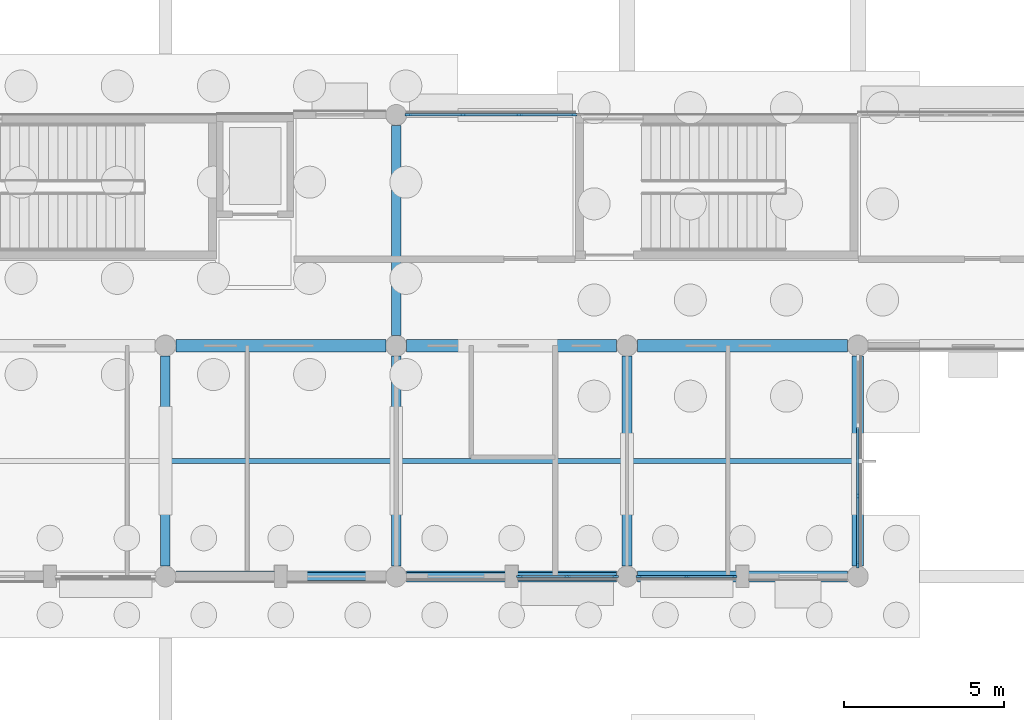
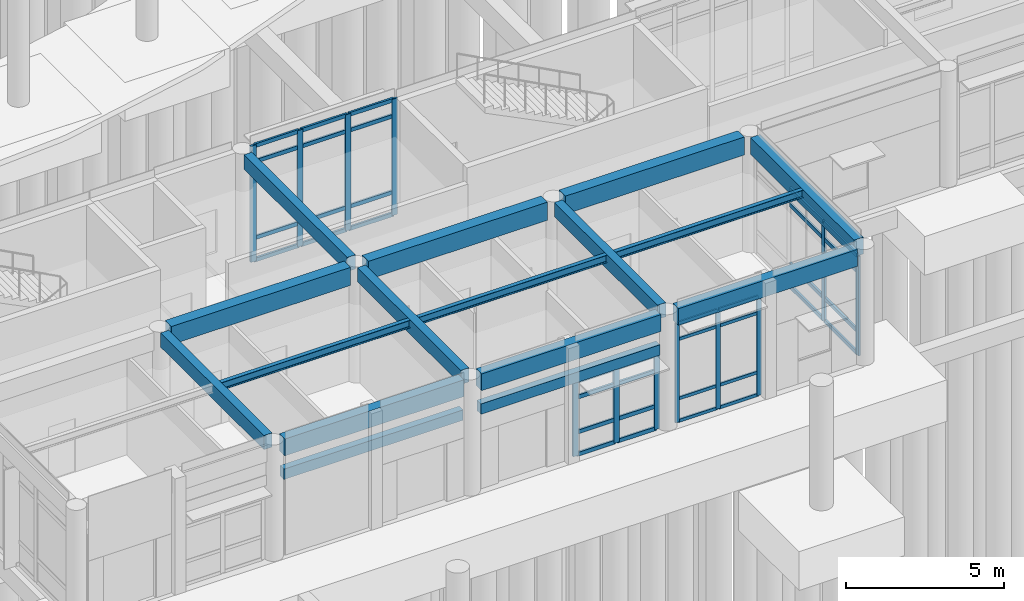
# One storey, part 21 of 103: 48 members, 16 beams, 4 elements without a shape of their own.
"""IFC4 building model written with IfcOpenShell, lengths in metres."""

import ifcopenshell
import ifcopenshell.guid

model = None  # the IFC model being written
_history = None  # IfcOwnerHistory: only IFC2X3 demands one
_inside = {}  # id of a spatial element -> (the spatial element, [elements in it])
_under = {}  # id of a project, library or spatial element -> (it, [spatial elements below it])
_declared = {}  # id of a project -> (the project, [libraries it declares])
_typed = {}  # id of a type object -> (the type object, [elements of that type])
_made_of = {}  # id of a material, layer set ... -> (it, [elements and type objects made of it])


def new_model(schema):
    """Start an empty IFC model of exactly this schema.

    Asked for "IFC4X3", IfcOpenShell would pick the latest addendum, in which some entities
    have other attributes; the version numbers below select the first issue.
    IFC2X3 requires an IfcOwnerHistory on every rooted entity: one is made here for all.
    """
    global model, _history
    if schema == "IFC4X3":
        model = ifcopenshell.file(schema_version=(4, 3, 0, 0))
    else:
        model = ifcopenshell.file(schema=schema)
    _inside.clear()
    _under.clear()
    _declared.clear()
    _typed.clear()
    _made_of.clear()
    _history = None
    if model.schema == "IFC2X3":
        org = make("IfcOrganization", Name="unknown")
        user = make(
            "IfcPersonAndOrganization",
            ThePerson=make("IfcPerson", FamilyName="unknown"),
            TheOrganization=org,
        )
        app = make(
            "IfcApplication",
            ApplicationDeveloper=org,
            Version="unknown",
            ApplicationFullName="unknown",
            ApplicationIdentifier="unknown",
        )
        _history = make(
            "IfcOwnerHistory",
            OwningUser=user,
            OwningApplication=app,
            ChangeAction="ADDED",
            CreationDate=0,
        )
    return model


def make(cls, **values):
    """One entity of the class cls with the attributes given. An attribute that is None is left unset."""
    return model.create_entity(
        cls, **{name: value for name, value in values.items() if value is not None}
    )


def rooted(cls, **values):
    """An entity with a GlobalId (a new one), such as an element, a storey or a relation."""
    return make(cls, GlobalId=ifcopenshell.guid.new(), OwnerHistory=_history, **values)


def si_unit(unit_type, name, prefix=None):
    """IfcSIUnit, for example si_unit("LENGTHUNIT", "METRE", prefix="MILLI")."""
    return make("IfcSIUnit", UnitType=unit_type, Prefix=prefix, Name=name)


def assignment(units):
    """IfcUnitAssignment: the units of a project."""
    return None if units is None else make("IfcUnitAssignment", Units=units)


def point(xyz):
    """IfcCartesianPoint."""
    return None if xyz is None else make("IfcCartesianPoint", Coordinates=xyz)


def direction(xyz):
    """IfcDirection."""
    return None if xyz is None else make("IfcDirection", DirectionRatios=xyz)


def frame(location, z_axis=None, x_axis=None):
    """IfcAxis2Placement3D, a coordinate frame: its origin and axes. An axis left out is left unset."""
    return make(
        "IfcAxis2Placement3D",
        Location=point(location),
        Axis=direction(z_axis),
        RefDirection=direction(x_axis),
    )


def frame_2d(location, x_axis=None):
    """IfcAxis2Placement2D, a coordinate frame in the plane: its origin and x axis."""
    return make(
        "IfcAxis2Placement2D", Location=point(location), RefDirection=direction(x_axis)
    )


def origin():
    """The frame at (0, 0, 0) with its axes left unset."""
    return frame((0.0, 0.0, 0.0))


def origin_2d():
    """The frame at (0, 0) in the plane with its x axis left unset."""
    return frame_2d((0.0, 0.0))


def place(relative_to, where):
    """IfcLocalPlacement: puts the frame where relative to a parent placement (None: the world)."""
    return make(
        "IfcLocalPlacement", PlacementRelTo=relative_to, RelativePlacement=where
    )


def context(
    kind, dimensions, precision=None, world=None, true_north=None, identifier=None
):
    """IfcGeometricRepresentationContext, for example the 3D "Model" context."""
    return make(
        "IfcGeometricRepresentationContext",
        ContextIdentifier=identifier,
        ContextType=kind,
        CoordinateSpaceDimension=dimensions,
        Precision=precision,
        WorldCoordinateSystem=world,
        TrueNorth=true_north,
    )


def subcontext(parent, identifier, kind, view, scale=None):
    """IfcGeometricRepresentationSubContext, for example "Body" below "Model"."""
    return make(
        "IfcGeometricRepresentationSubContext",
        ContextIdentifier=identifier,
        ContextType=kind,
        ParentContext=parent,
        TargetScale=scale,
        TargetView=view,
    )


def project(units=None, contexts=None):
    """IfcProject with its units and contexts."""
    return rooted(
        "IfcProject",
        Name="project",
        RepresentationContexts=contexts,
        UnitsInContext=assignment(units),
    )


def spatial(cls, under=None, at=None, **own):
    """A site, building, storey or space (cls), placed at a placement, below another one or the project."""
    s = rooted(cls, ObjectPlacement=at, **own)
    if under is not None:
        _under.setdefault(under.id(), (under, []))[1].append(s)
    return s


def profile(cls, at=None, kind="AREA", **sizes):
    """A parametric profile (cls). Its sizes go by their IFC names, for example OverallWidth=200.0."""
    return make(cls, ProfileType=kind, Position=at, **sizes)


def rectangle(**sizes):
    """IfcRectangleProfileDef."""
    return profile("IfcRectangleProfileDef", **sizes)


def i_section(**sizes):
    """IfcIShapeProfileDef."""
    return profile("IfcIShapeProfileDef", **sizes)


def extrude(swept, where, along, depth):
    """IfcExtrudedAreaSolid: the profile swept, set in the frame where, extruded along a direction by depth."""
    return make(
        "IfcExtrudedAreaSolid",
        SweptArea=swept,
        Position=where,
        ExtrudedDirection=direction(along),
        Depth=depth,
    )


def shape(context_of_items, identifier, shape_type, items):
    """IfcShapeRepresentation: the items that make up one representation, for example the "Body"."""
    return make(
        "IfcShapeRepresentation",
        ContextOfItems=context_of_items,
        RepresentationIdentifier=identifier,
        RepresentationType=shape_type,
        Items=items,
    )


def material(Name=None, Category=None):
    """IfcMaterial."""
    return make("IfcMaterial", Name=Name, Category=Category)


def layer(
    of_material, thickness, ventilated=None, Name=None, Category=None, Priority=None
):
    """IfcMaterialLayer: one layer of a wall or slab, of a material (None: an air gap)."""
    return make(
        "IfcMaterialLayer",
        Material=of_material,
        LayerThickness=thickness,
        IsVentilated=ventilated,
        Name=Name,
        Category=Category,
        Priority=Priority,
    )


def layer_set(layers, Name=None):
    """IfcMaterialLayerSet."""
    return make("IfcMaterialLayerSet", MaterialLayers=layers, LayerSetName=Name)


def material_profile(
    of_material, cross_section, Name=None, Category=None, Priority=None
):
    """IfcMaterialProfile: a cross section and its material."""
    return make(
        "IfcMaterialProfile",
        Name=Name,
        Material=of_material,
        Profile=cross_section,
        Priority=Priority,
        Category=Category,
    )


def profile_set(profiles, Name=None, composite=None):
    """IfcMaterialProfileSet."""
    return make(
        "IfcMaterialProfileSet",
        Name=Name,
        MaterialProfiles=profiles,
        CompositeProfile=composite,
    )


def made_of(thing, what):
    """Note that an element or type object is made of a material, layer set ...; save() writes the relation."""
    if what is not None:
        _made_of.setdefault(what.id(), (what, []))[1].append(thing)
    return thing


def type_object(cls, material=None, **own):
    """A type object (cls), such as IfcWallType, which elements share."""
    return made_of(rooted(cls, **own), material)


def element(
    cls,
    number,
    at=None,
    inside=None,
    cuts=None,
    type_object=None,
    material=None,
    context=None,
    identifier="Body",
    shape_type=None,
    held_by="IfcProductDefinitionShape",
    body=None,
    shapes=None,
    **own,
):
    """One element of the class cls, such as IfcWall. Its Tag is "e" and its number.

    at: its placement. inside: the storey or other place that contains it. cuts: it is an
    opening in that element (IfcRelVoidsElement). A single representation is given by context,
    identifier, shape_type and body (its items); several are given by shapes. held_by: the class
    of the entity that holds the representations. save() writes the other relations.
    """
    e = rooted(cls, Tag="e%d" % number, ObjectPlacement=at, **own)
    if body is not None:
        shapes = [shape(context, identifier, shape_type, body)]
    if shapes is not None:
        e.Representation = make(held_by, Representations=shapes)
    if inside is not None:
        _inside.setdefault(inside.id(), (inside, []))[1].append(e)
    if cuts is not None:
        rooted(
            "IfcRelVoidsElement", RelatingBuildingElement=cuts, RelatedOpeningElement=e
        )
    if type_object is not None:
        _typed.setdefault(type_object.id(), (type_object, []))[1].append(e)
    return made_of(e, material)


def aggregate(whole, parts):
    """IfcRelAggregates: a whole, such as a stair, and the parts it consists of."""
    return rooted("IfcRelAggregates", RelatingObject=whole, RelatedObjects=parts)


def save(model, path):
    """Write the relations noted so far, then the file.

    IfcRelAggregates (storeys below a building ...), IfcRelContainedInSpatialStructure (elements
    in a storey), IfcRelDefinesByType, IfcRelAssociatesMaterial and IfcRelDeclares: one each for
    every whole, place, type object, material and project.
    """
    for whole, parts in _under.values():
        aggregate(whole, parts)
    for where, things in _inside.values():
        rooted(
            "IfcRelContainedInSpatialStructure",
            RelatedElements=things,
            RelatingStructure=where,
        )
    for kind, things in _typed.values():
        rooted("IfcRelDefinesByType", RelatedObjects=things, RelatingType=kind)
    for what, things in _made_of.values():
        rooted("IfcRelAssociatesMaterial", RelatedObjects=things, RelatingMaterial=what)
    for by, libraries in _declared.values():
        rooted("IfcRelDeclares", RelatingContext=by, RelatedDefinitions=libraries)
    model.write(path)


model = new_model("IFC4")

# Units and contexts
model_context = context("Model", 3, precision=1e-05, world=origin(), true_north=direction((0.0, 1.0)))
body_context = subcontext(model_context, "Body", "Model", "MODEL_VIEW")
ifc_project = project(units=[si_unit("LENGTHUNIT", "METRE"), si_unit("AREAUNIT", "SQUARE_METRE"), si_unit("VOLUMEUNIT", "CUBIC_METRE"), si_unit("PLANEANGLEUNIT", "RADIAN"), si_unit("MASSUNIT", "GRAM", prefix="KILO")], contexts=[model_context])

# Site, building, storey
site_placement = place(None, origin())
site = spatial("IfcSite", under=ifc_project, at=site_placement, CompositionType="ELEMENT")
building_placement = place(site_placement, origin())
building = spatial("IfcBuilding", under=site, at=building_placement, Name="Namkhue Oval Health Centre", CompositionType="ELEMENT")
storey_placement = place(building_placement, origin())
storey = spatial("IfcBuildingStorey", under=building, at=storey_placement, Name="L00", CompositionType="ELEMENT", Elevation=0.0)

# Curtain wall, members
ifc_material_1 = material(Name="Anodised aluminium EN AW-6063 T6", Category="aluminium")
ifc_layer_1 = layer(ifc_material_1, 0.159912109375)
ifc_layer_set_1 = layer_set([ifc_layer_1], Name="Anodised aluminium EN AW-6063 T6")
curtain_wall_type_1 = type_object("IfcCurtainWallType", Name="UNITISED CURTAIN WALL M1800", PredefinedType="NOTDEFINED", material=ifc_layer_set_1)
curtain_wall_1_placement = place(storey_placement, origin())
curtain_wall_1 = element("IfcCurtainWall", 1, at=curtain_wall_1_placement, inside=storey, type_object=curtain_wall_type_1, Name="Volume V5 L00 Unitised Curtain Wall 179", PredefinedType="NOTDEFINED")
ifc_material_profile_1 = material_profile(ifc_material_1, rectangle(XDim=0.06494140625, YDim=0.159912109375, at=origin_2d()), Name="ALU 65x160")
ifc_profile_set_1 = profile_set([ifc_material_profile_1], Name="Anodised aluminium EN AW-6063 T6")
member_type_1 = type_object("IfcMemberType", Name="CURTAIN WALL MULLION 65X160", PredefinedType="MULLION", material=ifc_profile_set_1)
member_1_placement = place(storey_placement, frame((115.5673828125, 14.39990234375, 0.0), z_axis=(0.0, 0.0, 1.0), x_axis=(0.0, 1.0, 0.0)))
member_1 = element("IfcMember", 2, at=member_1_placement, type_object=member_type_1, Name="CW-05 mullion 1", PredefinedType="MULLION", context=body_context, shape_type="SweptSolid", body=[
    extrude(rectangle(XDim=0.06494140625, YDim=0.159912109375, at=origin_2d()), origin(), (0.0, 0.0, 1.0), 3.844970703125),
])
member_2_placement = place(storey_placement, frame((117.06201171875, 14.39990234375, 0.0), z_axis=(0.0, 0.0, 1.0), x_axis=(0.0, 1.0, 0.0)))
member_2 = element("IfcMember", 3, at=member_2_placement, type_object=member_type_1, Name="CW-05 mullion 2", PredefinedType="MULLION", context=body_context, shape_type="SweptSolid", body=[
    extrude(rectangle(XDim=0.06494140625, YDim=0.159912109375, at=origin_2d()), origin(), (0.0, 0.0, 1.0), 3.844970703125),
])
member_3_placement = place(storey_placement, frame((118.556396484375, 14.39990234375, 0.0), z_axis=(0.0, 0.0, 1.0), x_axis=(0.0, 1.0, 0.0)))
member_3 = element("IfcMember", 4, at=member_3_placement, type_object=member_type_1, Name="CW-05 mullion 3", PredefinedType="MULLION", context=body_context, shape_type="SweptSolid", body=[
    extrude(rectangle(XDim=0.06494140625, YDim=0.159912109375, at=origin_2d()), origin(), (0.0, 0.0, 1.0), 3.844970703125),
])

ifc_layer_2 = layer(ifc_material_1, 0.159912109375)
ifc_layer_set_2 = layer_set([ifc_layer_2], Name="Anodised aluminium EN AW-6063 T6")
curtain_wall_type_2 = type_object("IfcCurtainWallType", Name="UNITISED CURTAIN WALL M1600", PredefinedType="NOTDEFINED", material=ifc_layer_set_2)
curtain_wall_2_placement = place(storey_placement, origin())
curtain_wall_2 = element("IfcCurtainWall", 5, at=curtain_wall_2_placement, inside=storey, type_object=curtain_wall_type_2, Name="Volume V5 L00 Unitised Curtain Wall 178", PredefinedType="NOTDEFINED")
ifc_material_profile_2 = material_profile(ifc_material_1, rectangle(XDim=0.074951171875, YDim=0.199951171875, at=origin_2d()), Name="ALU 75x200")
ifc_profile_set_2 = profile_set([ifc_material_profile_2], Name="Anodised aluminium EN AW-6063 T6")
member_type_2 = type_object("IfcMemberType", Name="CURTAIN WALL MULLION 75X200", PredefinedType="MULLION", material=ifc_profile_set_2)
member_4_placement = place(storey_placement, frame((111.848388671875, 14.39990234375, 0.0), z_axis=(0.0, 0.0, 1.0), x_axis=(0.0, 1.0, 0.0)))
member_4 = element("IfcMember", 6, at=member_4_placement, type_object=member_type_2, Name="CW-04 mullion 1", PredefinedType="MULLION", context=body_context, shape_type="SweptSolid", body=[
    extrude(rectangle(XDim=0.074951171875, YDim=0.199951171875, at=origin_2d()), origin(), (0.0, 0.0, 1.0), 2.89990234375),
])
member_5_placement = place(storey_placement, frame((113.337890625, 14.39990234375, 0.0), z_axis=(0.0, 0.0, 1.0), x_axis=(0.0, 1.0, 0.0)))
member_5 = element("IfcMember", 7, at=member_5_placement, type_object=member_type_2, Name="CW-04 mullion 2", PredefinedType="MULLION", context=body_context, shape_type="SweptSolid", body=[
    extrude(rectangle(XDim=0.074951171875, YDim=0.199951171875, at=origin_2d()), origin(), (0.0, 0.0, 1.0), 2.89990234375),
])
member_6_placement = place(storey_placement, frame((114.827392578125, 14.39990234375, 0.0), z_axis=(0.0, 0.0, 1.0), x_axis=(0.0, 1.0, 0.0)))
member_6 = element("IfcMember", 8, at=member_6_placement, type_object=member_type_2, Name="CW-04 mullion 3", PredefinedType="MULLION", context=body_context, shape_type="SweptSolid", body=[
    extrude(rectangle(XDim=0.074951171875, YDim=0.199951171875, at=origin_2d()), origin(), (0.0, 0.0, 1.0), 2.89990234375),
])

ifc_layer_3 = layer(ifc_material_1, 0.159912109375)
ifc_layer_set_3 = layer_set([ifc_layer_3], Name="Anodised aluminium EN AW-6063 T6")
curtain_wall_type_3 = type_object("IfcCurtainWallType", Name="UNITISED CURTAIN WALL M2000", PredefinedType="NOTDEFINED", material=ifc_layer_set_3)
curtain_wall_3_placement = place(storey_placement, origin())
curtain_wall_3 = element("IfcCurtainWall", 9, at=curtain_wall_3_placement, inside=storey, type_object=curtain_wall_type_3, Name="Volume V5 L00 Unitised Curtain Wall 180", PredefinedType="NOTDEFINED")
member_7_placement = place(storey_placement, frame((122.39990234375, 14.7724609375, 0.0), z_axis=(0.0, 0.0, 1.0), x_axis=(-1.0, 0.0, 0.0)))
member_7 = element("IfcMember", 10, at=member_7_placement, type_object=member_type_2, Name="CW-06 mullion 1", PredefinedType="MULLION", context=body_context, shape_type="SweptSolid", body=[
    extrude(rectangle(XDim=0.074951171875, YDim=0.199951171875, at=origin_2d()), origin(), (0.0, 0.0, 1.0), 3.844970703125),
])
member_8_placement = place(storey_placement, frame((122.39990234375, 16.91162109375, 0.0), z_axis=(0.0, 0.0, 1.0), x_axis=(-1.0, 0.0, 0.0)))
member_8 = element("IfcMember", 11, at=member_8_placement, type_object=member_type_2, Name="CW-06 mullion 2", PredefinedType="MULLION", context=body_context, shape_type="SweptSolid", body=[
    extrude(rectangle(XDim=0.074951171875, YDim=0.199951171875, at=origin_2d()), origin(), (0.0, 0.0, 1.0), 3.844970703125),
])

curtain_wall_4_placement = place(storey_placement, origin())
curtain_wall_4 = element("IfcCurtainWall", 12, at=curtain_wall_4_placement, inside=storey, type_object=curtain_wall_type_2, Name="Volume V5 L00 Unitised Curtain Wall 184", PredefinedType="NOTDEFINED")
member_9_placement = place(storey_placement, frame((113.54541015625, 28.800048828125, 0.0), z_axis=(0.0, 0.0, 1.0), x_axis=(0.0, -1.0, 0.0)))
member_9 = element("IfcMember", 13, at=member_9_placement, type_object=member_type_2, Name="CW-04 mullion 1", PredefinedType="MULLION", context=body_context, shape_type="SweptSolid", body=[
    extrude(rectangle(XDim=0.074951171875, YDim=0.199951171875, at=origin_2d()), origin(), (0.0, 0.0, 1.0), 4.4951171875),
])
member_10_placement = place(storey_placement, frame((111.833740234375, 28.800048828125, 0.0), z_axis=(0.0, 0.0, 1.0), x_axis=(0.0, -1.0, 0.0)))
member_10 = element("IfcMember", 14, at=member_10_placement, type_object=member_type_2, Name="CW-04 mullion 2", PredefinedType="MULLION", context=body_context, shape_type="SweptSolid", body=[
    extrude(rectangle(XDim=0.074951171875, YDim=0.199951171875, at=origin_2d()), origin(), (0.0, 0.0, 1.0), 4.4951171875),
])
member_11_placement = place(storey_placement, frame((110.084228515625, 28.800048828125, 0.0), z_axis=(0.0, 0.0, 1.0), x_axis=(0.0, -1.0, 0.0)))
member_11 = element("IfcMember", 15, at=member_11_placement, type_object=member_type_2, Name="CW-04 mullion 3", PredefinedType="MULLION", context=body_context, shape_type="SweptSolid", body=[
    extrude(rectangle(XDim=0.074951171875, YDim=0.199951171875, at=origin_2d()), origin(), (0.0, 0.0, 1.0), 4.4951171875),
])
member_12_placement = place(storey_placement, frame((108.37255859375, 28.800048828125, 0.0), z_axis=(0.0, 0.0, 1.0), x_axis=(0.0, -1.0, 0.0)))
member_12 = element("IfcMember", 16, at=member_12_placement, type_object=member_type_2, Name="CW-04 mullion 4", PredefinedType="MULLION", context=body_context, shape_type="SweptSolid", body=[
    extrude(rectangle(XDim=0.074951171875, YDim=0.199951171875, at=origin_2d()), origin(), (0.0, 0.0, 1.0), 4.4951171875),
])

# Member
ifc_material_profile_3 = material_profile(ifc_material_1, rectangle(XDim=0.06494140625, YDim=0.1201171875, at=origin_2d()), Name="ALU 65x120")
ifc_profile_set_3 = profile_set([ifc_material_profile_3], Name="Anodised aluminium EN AW-6063 T6")
member_type_3 = type_object("IfcMemberType", Name="CURTAIN WALL TRANSOM 65X120", PredefinedType="USERDEFINED", material=ifc_profile_set_3)
member_13_placement = place(storey_placement, frame((115.60009765625, 14.39990234375, 0.032470703125), z_axis=(1.0, 0.0, 0.0), x_axis=(0.0, 1.0, 0.0)))
member_13 = element("IfcMember", 17, at=member_13_placement, type_object=member_type_3, Name="CW-05 transom 1.1", ObjectType="TRANSOM", PredefinedType="USERDEFINED", context=body_context, shape_type="SweptSolid", body=[
    extrude(rectangle(XDim=0.06494140625, YDim=0.1201171875, at=origin_2d()), origin(), (0.0, 0.0, 1.0), 1.429443359375),
])

member_14_placement = place(storey_placement, frame((115.60009765625, 14.39990234375, 0.89990234375), z_axis=(1.0, 0.0, 0.0), x_axis=(0.0, 1.0, 0.0)))
member_14 = element("IfcMember", 18, at=member_14_placement, type_object=member_type_3, Name="CW-05 transom 1.2", ObjectType="TRANSOM", PredefinedType="USERDEFINED", context=body_context, shape_type="SweptSolid", body=[
    extrude(rectangle(XDim=0.06494140625, YDim=0.1201171875, at=origin_2d()), origin(), (0.0, 0.0, 1.0), 1.429443359375),
])

member_15_placement = place(storey_placement, frame((115.60009765625, 14.39990234375, 3.195068359375), z_axis=(1.0, 0.0, 0.0), x_axis=(0.0, 1.0, 0.0)))
member_15 = element("IfcMember", 19, at=member_15_placement, type_object=member_type_3, Name="CW-05 transom 1.3", ObjectType="TRANSOM", PredefinedType="USERDEFINED", context=body_context, shape_type="SweptSolid", body=[
    extrude(rectangle(XDim=0.06494140625, YDim=0.1201171875, at=origin_2d()), origin(), (0.0, 0.0, 1.0), 1.429443359375),
])

member_16_placement = place(storey_placement, frame((115.60009765625, 14.39990234375, 3.8125), z_axis=(1.0, 0.0, 0.0), x_axis=(0.0, 1.0, 0.0)))
member_16 = element("IfcMember", 20, at=member_16_placement, type_object=member_type_3, Name="CW-05 transom 1.4", ObjectType="TRANSOM", PredefinedType="USERDEFINED", context=body_context, shape_type="SweptSolid", body=[
    extrude(rectangle(XDim=0.06494140625, YDim=0.1201171875, at=origin_2d()), origin(), (0.0, 0.0, 1.0), 1.429443359375),
])

member_17_placement = place(storey_placement, frame((117.094482421875, 14.39990234375, 0.032470703125), z_axis=(1.0, 0.0, 0.0), x_axis=(0.0, 1.0, 0.0)))
member_17 = element("IfcMember", 21, at=member_17_placement, type_object=member_type_3, Name="CW-05 transom 2.1", ObjectType="TRANSOM", PredefinedType="USERDEFINED", context=body_context, shape_type="SweptSolid", body=[
    extrude(rectangle(XDim=0.06494140625, YDim=0.1201171875, at=origin_2d()), origin(), (0.0, 0.0, 1.0), 1.429443359375),
])

member_18_placement = place(storey_placement, frame((117.094482421875, 14.39990234375, 0.89990234375), z_axis=(1.0, 0.0, 0.0), x_axis=(0.0, 1.0, 0.0)))
member_18 = element("IfcMember", 22, at=member_18_placement, type_object=member_type_3, Name="CW-05 transom 2.2", ObjectType="TRANSOM", PredefinedType="USERDEFINED", context=body_context, shape_type="SweptSolid", body=[
    extrude(rectangle(XDim=0.06494140625, YDim=0.1201171875, at=origin_2d()), origin(), (0.0, 0.0, 1.0), 1.429443359375),
])

member_19_placement = place(storey_placement, frame((117.094482421875, 14.39990234375, 3.195068359375), z_axis=(1.0, 0.0, 0.0), x_axis=(0.0, 1.0, 0.0)))
member_19 = element("IfcMember", 23, at=member_19_placement, type_object=member_type_3, Name="CW-05 transom 2.3", ObjectType="TRANSOM", PredefinedType="USERDEFINED", context=body_context, shape_type="SweptSolid", body=[
    extrude(rectangle(XDim=0.06494140625, YDim=0.1201171875, at=origin_2d()), origin(), (0.0, 0.0, 1.0), 1.429443359375),
])

member_20_placement = place(storey_placement, frame((117.094482421875, 14.39990234375, 3.8125), z_axis=(1.0, 0.0, 0.0), x_axis=(0.0, 1.0, 0.0)))
member_20 = element("IfcMember", 24, at=member_20_placement, type_object=member_type_3, Name="CW-05 transom 2.4", ObjectType="TRANSOM", PredefinedType="USERDEFINED", context=body_context, shape_type="SweptSolid", body=[
    extrude(rectangle(XDim=0.06494140625, YDim=0.1201171875, at=origin_2d()), origin(), (0.0, 0.0, 1.0), 1.429443359375),
])

aggregate(curtain_wall_1, [member_1, member_2, member_3, member_13, member_14, member_15, member_16, member_17, member_18, member_19, member_20])

ifc_material_profile_4 = material_profile(ifc_material_1, rectangle(XDim=0.074951171875, YDim=0.14990234375, at=origin_2d()), Name="ALU 75x150")
ifc_profile_set_4 = profile_set([ifc_material_profile_4], Name="Anodised aluminium EN AW-6063 T6")
member_type_4 = type_object("IfcMemberType", Name="CURTAIN WALL TRANSOM 75X150", PredefinedType="USERDEFINED", material=ifc_profile_set_4)
member_21_placement = place(storey_placement, frame((111.885986328125, 14.39990234375, 0.03759765625), z_axis=(1.0, 0.0, 0.0), x_axis=(0.0, 1.0, 0.0)))
member_21 = element("IfcMember", 25, at=member_21_placement, type_object=member_type_4, Name="CW-04 transom 1.1", ObjectType="TRANSOM", PredefinedType="USERDEFINED", context=body_context, shape_type="SweptSolid", body=[
    extrude(rectangle(XDim=0.074951171875, YDim=0.14990234375, at=origin_2d()), origin(), (0.0, 0.0, 1.0), 1.41455078125),
])

member_22_placement = place(storey_placement, frame((111.885986328125, 14.39990234375, 0.89990234375), z_axis=(1.0, 0.0, 0.0), x_axis=(0.0, 1.0, 0.0)))
member_22 = element("IfcMember", 26, at=member_22_placement, type_object=member_type_4, Name="CW-04 transom 1.2", ObjectType="TRANSOM", PredefinedType="USERDEFINED", context=body_context, shape_type="SweptSolid", body=[
    extrude(rectangle(XDim=0.074951171875, YDim=0.14990234375, at=origin_2d()), origin(), (0.0, 0.0, 1.0), 1.41455078125),
])

member_23_placement = place(storey_placement, frame((111.885986328125, 14.39990234375, 2.25), z_axis=(1.0, 0.0, 0.0), x_axis=(0.0, 1.0, 0.0)))
member_23 = element("IfcMember", 27, at=member_23_placement, type_object=member_type_4, Name="CW-04 transom 1.3", ObjectType="TRANSOM", PredefinedType="USERDEFINED", context=body_context, shape_type="SweptSolid", body=[
    extrude(rectangle(XDim=0.074951171875, YDim=0.14990234375, at=origin_2d()), origin(), (0.0, 0.0, 1.0), 1.41455078125),
])

member_24_placement = place(storey_placement, frame((111.885986328125, 14.39990234375, 2.862548828125), z_axis=(1.0, 0.0, 0.0), x_axis=(0.0, 1.0, 0.0)))
member_24 = element("IfcMember", 28, at=member_24_placement, type_object=member_type_4, Name="CW-04 transom 1.4", ObjectType="TRANSOM", PredefinedType="USERDEFINED", context=body_context, shape_type="SweptSolid", body=[
    extrude(rectangle(XDim=0.074951171875, YDim=0.14990234375, at=origin_2d()), origin(), (0.0, 0.0, 1.0), 1.41455078125),
])

member_25_placement = place(storey_placement, frame((113.37548828125, 14.39990234375, 0.03759765625), z_axis=(1.0, 0.0, 0.0), x_axis=(0.0, 1.0, 0.0)))
member_25 = element("IfcMember", 29, at=member_25_placement, type_object=member_type_4, Name="CW-04 transom 2.1", ObjectType="TRANSOM", PredefinedType="USERDEFINED", context=body_context, shape_type="SweptSolid", body=[
    extrude(rectangle(XDim=0.074951171875, YDim=0.14990234375, at=origin_2d()), origin(), (0.0, 0.0, 1.0), 1.41455078125),
])

member_26_placement = place(storey_placement, frame((113.37548828125, 14.39990234375, 0.89990234375), z_axis=(1.0, 0.0, 0.0), x_axis=(0.0, 1.0, 0.0)))
member_26 = element("IfcMember", 30, at=member_26_placement, type_object=member_type_4, Name="CW-04 transom 2.2", ObjectType="TRANSOM", PredefinedType="USERDEFINED", context=body_context, shape_type="SweptSolid", body=[
    extrude(rectangle(XDim=0.074951171875, YDim=0.14990234375, at=origin_2d()), origin(), (0.0, 0.0, 1.0), 1.41455078125),
])

member_27_placement = place(storey_placement, frame((113.37548828125, 14.39990234375, 2.25), z_axis=(1.0, 0.0, 0.0), x_axis=(0.0, 1.0, 0.0)))
member_27 = element("IfcMember", 31, at=member_27_placement, type_object=member_type_4, Name="CW-04 transom 2.3", ObjectType="TRANSOM", PredefinedType="USERDEFINED", context=body_context, shape_type="SweptSolid", body=[
    extrude(rectangle(XDim=0.074951171875, YDim=0.14990234375, at=origin_2d()), origin(), (0.0, 0.0, 1.0), 1.41455078125),
])

member_28_placement = place(storey_placement, frame((113.37548828125, 14.39990234375, 2.862548828125), z_axis=(1.0, 0.0, 0.0), x_axis=(0.0, 1.0, 0.0)))
member_28 = element("IfcMember", 32, at=member_28_placement, type_object=member_type_4, Name="CW-04 transom 2.4", ObjectType="TRANSOM", PredefinedType="USERDEFINED", context=body_context, shape_type="SweptSolid", body=[
    extrude(rectangle(XDim=0.074951171875, YDim=0.14990234375, at=origin_2d()), origin(), (0.0, 0.0, 1.0), 1.41455078125),
])

aggregate(curtain_wall_2, [member_4, member_5, member_6, member_21, member_22, member_23, member_24, member_25, member_26, member_27, member_28])

member_29_placement = place(storey_placement, frame((122.39990234375, 14.81005859375, 0.03759765625), z_axis=(0.0, 1.0, 0.0), x_axis=(-1.0, 0.0, 0.0)))
member_29 = element("IfcMember", 33, at=member_29_placement, type_object=member_type_4, Name="CW-06 transom 1.1", ObjectType="TRANSOM", PredefinedType="USERDEFINED", context=body_context, shape_type="SweptSolid", body=[
    extrude(rectangle(XDim=0.074951171875, YDim=0.14990234375, at=origin_2d()), origin(), (0.0, 0.0, 1.0), 2.064208984375),
])

member_30_placement = place(storey_placement, frame((122.39990234375, 14.81005859375, 0.89990234375), z_axis=(0.0, 1.0, 0.0), x_axis=(-1.0, 0.0, 0.0)))
member_30 = element("IfcMember", 34, at=member_30_placement, type_object=member_type_4, Name="CW-06 transom 1.2", ObjectType="TRANSOM", PredefinedType="USERDEFINED", context=body_context, shape_type="SweptSolid", body=[
    extrude(rectangle(XDim=0.074951171875, YDim=0.14990234375, at=origin_2d()), origin(), (0.0, 0.0, 1.0), 2.064208984375),
])

member_31_placement = place(storey_placement, frame((122.39990234375, 14.81005859375, 3.195068359375), z_axis=(0.0, 1.0, 0.0), x_axis=(-1.0, 0.0, 0.0)))
member_31 = element("IfcMember", 35, at=member_31_placement, type_object=member_type_4, Name="CW-06 transom 1.3", ObjectType="TRANSOM", PredefinedType="USERDEFINED", context=body_context, shape_type="SweptSolid", body=[
    extrude(rectangle(XDim=0.074951171875, YDim=0.14990234375, at=origin_2d()), origin(), (0.0, 0.0, 1.0), 2.064208984375),
])

member_32_placement = place(storey_placement, frame((122.39990234375, 14.81005859375, 3.8076171875), z_axis=(0.0, 1.0, 0.0), x_axis=(-1.0, 0.0, 0.0)))
member_32 = element("IfcMember", 36, at=member_32_placement, type_object=member_type_4, Name="CW-06 transom 1.4", ObjectType="TRANSOM", PredefinedType="USERDEFINED", context=body_context, shape_type="SweptSolid", body=[
    extrude(rectangle(XDim=0.074951171875, YDim=0.14990234375, at=origin_2d()), origin(), (0.0, 0.0, 1.0), 2.064208984375),
])

member_33_placement = place(storey_placement, frame((122.39990234375, 16.94921875, 0.03759765625), z_axis=(0.0, 1.0, 0.0), x_axis=(-1.0, 0.0, 0.0)))
member_33 = element("IfcMember", 37, at=member_33_placement, type_object=member_type_4, Name="CW-06 transom 2.1", ObjectType="TRANSOM", PredefinedType="USERDEFINED", context=body_context, shape_type="SweptSolid", body=[
    extrude(rectangle(XDim=0.074951171875, YDim=0.14990234375, at=origin_2d()), origin(), (0.0, 0.0, 1.0), 2.1015625),
])

member_34_placement = place(storey_placement, frame((122.39990234375, 16.94921875, 0.89990234375), z_axis=(0.0, 1.0, 0.0), x_axis=(-1.0, 0.0, 0.0)))
member_34 = element("IfcMember", 38, at=member_34_placement, type_object=member_type_4, Name="CW-06 transom 2.2", ObjectType="TRANSOM", PredefinedType="USERDEFINED", context=body_context, shape_type="SweptSolid", body=[
    extrude(rectangle(XDim=0.074951171875, YDim=0.14990234375, at=origin_2d()), origin(), (0.0, 0.0, 1.0), 2.1015625),
])

member_35_placement = place(storey_placement, frame((122.39990234375, 16.94921875, 3.195068359375), z_axis=(0.0, 1.0, 0.0), x_axis=(-1.0, 0.0, 0.0)))
member_35 = element("IfcMember", 39, at=member_35_placement, type_object=member_type_4, Name="CW-06 transom 2.3", ObjectType="TRANSOM", PredefinedType="USERDEFINED", context=body_context, shape_type="SweptSolid", body=[
    extrude(rectangle(XDim=0.074951171875, YDim=0.14990234375, at=origin_2d()), origin(), (0.0, 0.0, 1.0), 2.1015625),
])

member_36_placement = place(storey_placement, frame((122.39990234375, 16.94921875, 3.8076171875), z_axis=(0.0, 1.0, 0.0), x_axis=(-1.0, 0.0, 0.0)))
member_36 = element("IfcMember", 40, at=member_36_placement, type_object=member_type_4, Name="CW-06 transom 2.4", ObjectType="TRANSOM", PredefinedType="USERDEFINED", context=body_context, shape_type="SweptSolid", body=[
    extrude(rectangle(XDim=0.074951171875, YDim=0.14990234375, at=origin_2d()), origin(), (0.0, 0.0, 1.0), 2.1015625),
])

aggregate(curtain_wall_3, [member_7, member_8, member_29, member_30, member_31, member_32, member_33, member_34, member_35, member_36])

member_37_placement = place(storey_placement, frame((113.508056640625, 28.800048828125, 0.03759765625), z_axis=(-1.0, 0.0, 0.0), x_axis=(0.0, -1.0, 0.0)))
member_37 = element("IfcMember", 41, at=member_37_placement, type_object=member_type_4, Name="CW-04 transom 1.1", ObjectType="TRANSOM", PredefinedType="USERDEFINED", context=body_context, shape_type="SweptSolid", body=[
    extrude(rectangle(XDim=0.074951171875, YDim=0.14990234375, at=origin_2d()), origin(), (0.0, 0.0, 1.0), 1.636962890625),
])

member_38_placement = place(storey_placement, frame((113.508056640625, 28.800048828125, 0.89990234375), z_axis=(-1.0, 0.0, 0.0), x_axis=(0.0, -1.0, 0.0)))
member_38 = element("IfcMember", 42, at=member_38_placement, type_object=member_type_4, Name="CW-04 transom 1.2", ObjectType="TRANSOM", PredefinedType="USERDEFINED", context=body_context, shape_type="SweptSolid", body=[
    extrude(rectangle(XDim=0.074951171875, YDim=0.14990234375, at=origin_2d()), origin(), (0.0, 0.0, 1.0), 1.636962890625),
])

member_39_placement = place(storey_placement, frame((113.508056640625, 28.800048828125, 3.844970703125), z_axis=(-1.0, 0.0, 0.0), x_axis=(0.0, -1.0, 0.0)))
member_39 = element("IfcMember", 43, at=member_39_placement, type_object=member_type_4, Name="CW-04 transom 1.3", ObjectType="TRANSOM", PredefinedType="USERDEFINED", context=body_context, shape_type="SweptSolid", body=[
    extrude(rectangle(XDim=0.074951171875, YDim=0.14990234375, at=origin_2d()), origin(), (0.0, 0.0, 1.0), 1.636962890625),
])

member_40_placement = place(storey_placement, frame((113.508056640625, 28.800048828125, 4.45751953125), z_axis=(-1.0, 0.0, 0.0), x_axis=(0.0, -1.0, 0.0)))
member_40 = element("IfcMember", 44, at=member_40_placement, type_object=member_type_4, Name="CW-04 transom 1.4", ObjectType="TRANSOM", PredefinedType="USERDEFINED", context=body_context, shape_type="SweptSolid", body=[
    extrude(rectangle(XDim=0.074951171875, YDim=0.14990234375, at=origin_2d()), origin(), (0.0, 0.0, 1.0), 1.636962890625),
])

member_41_placement = place(storey_placement, frame((111.796142578125, 28.800048828125, 0.03759765625), z_axis=(-1.0, 0.0, 0.0), x_axis=(0.0, -1.0, 0.0)))
member_41 = element("IfcMember", 45, at=member_41_placement, type_object=member_type_4, Name="CW-04 transom 2.1", ObjectType="TRANSOM", PredefinedType="USERDEFINED", context=body_context, shape_type="SweptSolid", body=[
    extrude(rectangle(XDim=0.074951171875, YDim=0.14990234375, at=origin_2d()), origin(), (0.0, 0.0, 1.0), 1.67431640625),
])

member_42_placement = place(storey_placement, frame((111.796142578125, 28.800048828125, 0.89990234375), z_axis=(-1.0, 0.0, 0.0), x_axis=(0.0, -1.0, 0.0)))
member_42 = element("IfcMember", 46, at=member_42_placement, type_object=member_type_4, Name="CW-04 transom 2.2", ObjectType="TRANSOM", PredefinedType="USERDEFINED", context=body_context, shape_type="SweptSolid", body=[
    extrude(rectangle(XDim=0.074951171875, YDim=0.14990234375, at=origin_2d()), origin(), (0.0, 0.0, 1.0), 1.67431640625),
])

member_43_placement = place(storey_placement, frame((111.796142578125, 28.800048828125, 3.844970703125), z_axis=(-1.0, 0.0, 0.0), x_axis=(0.0, -1.0, 0.0)))
member_43 = element("IfcMember", 47, at=member_43_placement, type_object=member_type_4, Name="CW-04 transom 2.3", ObjectType="TRANSOM", PredefinedType="USERDEFINED", context=body_context, shape_type="SweptSolid", body=[
    extrude(rectangle(XDim=0.074951171875, YDim=0.14990234375, at=origin_2d()), origin(), (0.0, 0.0, 1.0), 1.67431640625),
])

member_44_placement = place(storey_placement, frame((111.796142578125, 28.800048828125, 4.45751953125), z_axis=(-1.0, 0.0, 0.0), x_axis=(0.0, -1.0, 0.0)))
member_44 = element("IfcMember", 48, at=member_44_placement, type_object=member_type_4, Name="CW-04 transom 2.4", ObjectType="TRANSOM", PredefinedType="USERDEFINED", context=body_context, shape_type="SweptSolid", body=[
    extrude(rectangle(XDim=0.074951171875, YDim=0.14990234375, at=origin_2d()), origin(), (0.0, 0.0, 1.0), 1.67431640625),
])

member_45_placement = place(storey_placement, frame((110.046875, 28.800048828125, 0.03759765625), z_axis=(-1.0, 0.0, 0.0), x_axis=(0.0, -1.0, 0.0)))
member_45 = element("IfcMember", 49, at=member_45_placement, type_object=member_type_4, Name="CW-04 transom 3.1", ObjectType="TRANSOM", PredefinedType="USERDEFINED", context=body_context, shape_type="SweptSolid", body=[
    extrude(rectangle(XDim=0.074951171875, YDim=0.14990234375, at=origin_2d()), origin(), (0.0, 0.0, 1.0), 1.636962890625),
])

member_46_placement = place(storey_placement, frame((110.046875, 28.800048828125, 0.89990234375), z_axis=(-1.0, 0.0, 0.0), x_axis=(0.0, -1.0, 0.0)))
member_46 = element("IfcMember", 50, at=member_46_placement, type_object=member_type_4, Name="CW-04 transom 3.2", ObjectType="TRANSOM", PredefinedType="USERDEFINED", context=body_context, shape_type="SweptSolid", body=[
    extrude(rectangle(XDim=0.074951171875, YDim=0.14990234375, at=origin_2d()), origin(), (0.0, 0.0, 1.0), 1.636962890625),
])

member_47_placement = place(storey_placement, frame((110.046875, 28.800048828125, 3.844970703125), z_axis=(-1.0, 0.0, 0.0), x_axis=(0.0, -1.0, 0.0)))
member_47 = element("IfcMember", 51, at=member_47_placement, type_object=member_type_4, Name="CW-04 transom 3.3", ObjectType="TRANSOM", PredefinedType="USERDEFINED", context=body_context, shape_type="SweptSolid", body=[
    extrude(rectangle(XDim=0.074951171875, YDim=0.14990234375, at=origin_2d()), origin(), (0.0, 0.0, 1.0), 1.636962890625),
])

member_48_placement = place(storey_placement, frame((110.046875, 28.800048828125, 4.45751953125), z_axis=(-1.0, 0.0, 0.0), x_axis=(0.0, -1.0, 0.0)))
member_48 = element("IfcMember", 52, at=member_48_placement, type_object=member_type_4, Name="CW-04 transom 3.4", ObjectType="TRANSOM", PredefinedType="USERDEFINED", context=body_context, shape_type="SweptSolid", body=[
    extrude(rectangle(XDim=0.074951171875, YDim=0.14990234375, at=origin_2d()), origin(), (0.0, 0.0, 1.0), 1.636962890625),
])

aggregate(curtain_wall_4, [member_9, member_10, member_11, member_12, member_37, member_38, member_39, member_40, member_41, member_42, member_43, member_44, member_45, member_46, member_47, member_48])

# Beams
ifc_material_2 = material(Name="Reinforced concrete C30/37 (TCVN B35)", Category="concrete")
ifc_material_profile_5 = material_profile(ifc_material_2, rectangle(XDim=0.300048828125, YDim=0.550048828125, at=origin_2d()), Name="RC 300x550")
ifc_profile_set_5 = profile_set([ifc_material_profile_5], Name="Reinforced concrete C30/37 (TCVN B35)")
beam_type_1 = type_object("IfcBeamType", Name="FLOOR BEAM RC 300X550", PredefinedType="BEAM", material=ifc_profile_set_5)
for number, where, z_axis, x_axis, name in (
    (53, (100.800048828125, 14.72509765625, 4.219970703125), (0.0, 1.0, 0.0), (-1.0, 0.0, 0.0), "Volume V5 L01 Beam 15/C-D"),
    (54, (108.0, 14.72509765625, 4.219970703125), (0.0, 1.0, 0.0), (-1.0, 0.0, 0.0), "Volume V5 L01 Beam 16/C-D"),
):
    element("IfcBeam", number, at=place(storey_placement, frame(where, z_axis=z_axis, x_axis=x_axis)), inside=storey, type_object=beam_type_1, Name=name, PredefinedType="BEAM", context=body_context, shape_type="SweptSolid", body=[
        extrude(rectangle(XDim=0.300048828125, YDim=0.550048828125, at=origin_2d()), origin(), (0.0, 0.0, 1.0), 6.5498046875),
    ])
beam_1_placement = place(storey_placement, frame((108.0, 21.925048828125, 4.219970703125), z_axis=(0.0, 1.0, 0.0), x_axis=(-1.0, 0.0, 0.0)))
element("IfcBeam", 55, at=beam_1_placement, inside=storey, type_object=beam_type_1, Name="Volume V5 L01 Beam 16/D-E", PredefinedType="BEAM", context=body_context, shape_type="SweptSolid", body=[
    extrude(rectangle(XDim=0.300048828125, YDim=0.550048828125, at=origin_2d()), origin(), (0.0, 0.0, 1.0), 6.550048828125),
])
beam_2_placement = place(storey_placement, frame((115.199951171875, 14.72509765625, 4.219970703125), z_axis=(0.0, 1.0, 0.0), x_axis=(-1.0, 0.0, 0.0)))
element("IfcBeam", 56, at=beam_2_placement, inside=storey, type_object=beam_type_1, Name="Volume V5 L01 Beam 17/C-D", PredefinedType="BEAM", context=body_context, shape_type="SweptSolid", body=[
    extrude(rectangle(XDim=0.300048828125, YDim=0.550048828125, at=origin_2d()), origin(), (0.0, 0.0, 1.0), 6.5498046875),
])
ifc_material_profile_6 = material_profile(ifc_material_2, rectangle(XDim=0.25, YDim=0.39990234375, at=origin_2d()), Name="RC 250x400")
ifc_profile_set_6 = profile_set([ifc_material_profile_6], Name="Reinforced concrete C30/37 (TCVN B35)")
beam_type_2 = type_object("IfcBeamType", Name="OPENING LINTEL BEAM 250X400", PredefinedType="LINTEL", material=ifc_profile_set_6)
for number, where, z_axis, x_axis, name in (
    (57, (101.125, 14.39990234375, 3.10009765625), (1.0, 0.0, 0.0), (0.0, 1.0, 0.0), "Volume V5 L00 Portal Lintel Beam 11"),
    (58, (108.324951171875, 14.39990234375, 3.10009765625), (1.0, 0.0, 0.0), (0.0, 1.0, 0.0), "Volume V5 L00 Portal Lintel Beam 12"),
):
    element("IfcBeam", number, at=place(storey_placement, frame(where, z_axis=z_axis, x_axis=x_axis)), inside=storey, type_object=beam_type_2, Name=name, PredefinedType="LINTEL", context=body_context, shape_type="SweptSolid", body=[
        extrude(rectangle(XDim=0.25, YDim=0.39990234375, at=origin_2d()), origin(), (0.0, 0.0, 1.0), 6.550048828125),
    ])
ifc_material_3 = material(Name="Reinforced concrete C35/45 (TCVN B40)", Category="concrete")
ifc_material_profile_7 = material_profile(ifc_material_3, rectangle(XDim=0.35009765625, YDim=0.64990234375, at=origin_2d()), Name="RC 350x650")
ifc_profile_set_7 = profile_set([ifc_material_profile_7], Name="Reinforced concrete C35/45 (TCVN B40)")
beam_type_3 = type_object("IfcBeamType", Name="PERIMETER SPANDREL BEAM 350X650", PredefinedType="SPANDREL", material=ifc_profile_set_7)
for number, where, z_axis, x_axis, name in (
    (59, (101.125, 14.39990234375, 4.169921875), (1.0, 0.0, 0.0), (0.0, 1.0, 0.0), "Volume V5 L01 Girder C/15-16"),
    (60, (108.324951171875, 14.39990234375, 4.169921875), (1.0, 0.0, 0.0), (0.0, 1.0, 0.0), "Volume V5 L01 Girder C/16-17"),
    (61, (115.52490234375, 14.39990234375, 4.169921875), (1.0, 0.0, 0.0), (0.0, 1.0, 0.0), "Volume V5 L01 Girder C/17-18"),
):
    element("IfcBeam", number, at=place(storey_placement, frame(where, z_axis=z_axis, x_axis=x_axis)), inside=storey, type_object=beam_type_3, Name=name, PredefinedType="SPANDREL", context=body_context, shape_type="SweptSolid", body=[
        extrude(rectangle(XDim=0.35009765625, YDim=0.64990234375, at=origin_2d()), origin(), (0.0, 0.0, 1.0), 6.550048828125),
    ])
beam_3_placement = place(storey_placement, frame((122.39990234375, 14.72509765625, 4.169921875), z_axis=(0.0, 1.0, 0.0), x_axis=(-1.0, 0.0, 0.0)))
element("IfcBeam", 62, at=beam_3_placement, inside=storey, type_object=beam_type_3, Name="Volume V5 L01 Beam 18/C-D", PredefinedType="SPANDREL", context=body_context, shape_type="SweptSolid", body=[
    extrude(rectangle(XDim=0.35009765625, YDim=0.64990234375, at=origin_2d()), origin(), (0.0, 0.0, 1.0), 6.5498046875),
])
ifc_material_profile_8 = material_profile(ifc_material_3, rectangle(XDim=0.39990234375, YDim=0.699951171875, at=origin_2d()), Name="RC 400x700")
ifc_profile_set_8 = profile_set([ifc_material_profile_8], Name="Reinforced concrete C35/45 (TCVN B40)")
beam_type_4 = type_object("IfcBeamType", Name="PRIMARY GIRDER RC 400X700", PredefinedType="USERDEFINED", material=ifc_profile_set_8)
for number, where, z_axis, x_axis, name in (
    (63, (101.125, 21.60009765625, 4.14501953125), (1.0, 0.0, 0.0), (0.0, 1.0, 0.0), "Volume V5 L01 Girder D/15-16"),
    (64, (108.324951171875, 21.60009765625, 4.14501953125), (1.0, 0.0, 0.0), (0.0, 1.0, 0.0), "Volume V5 L01 Girder D/16-17"),
    (65, (115.52490234375, 21.60009765625, 4.14501953125), (1.0, 0.0, 0.0), (0.0, 1.0, 0.0), "Volume V5 L01 Girder D/17-18"),
):
    element("IfcBeam", number, at=place(storey_placement, frame(where, z_axis=z_axis, x_axis=x_axis)), inside=storey, type_object=beam_type_4, Name=name, ObjectType="GIRDER", PredefinedType="USERDEFINED", context=body_context, shape_type="SweptSolid", body=[
        extrude(rectangle(XDim=0.39990234375, YDim=0.699951171875, at=origin_2d()), origin(), (0.0, 0.0, 1.0), 6.550048828125),
    ])
ifc_material_4 = material(Name="Structural steel EN 10025-2 S355JR (TCVN 5575:2024)", Category="steel")
ifc_material_profile_9 = material_profile(ifc_material_4, i_section(OverallWidth=0.14990234375, OverallDepth=0.300048828125, WebThickness=0.007080078125, FlangeThickness=0.0107421875, FilletRadius=0.014892578125, at=origin_2d()), Name="IPE 300")
ifc_profile_set_9 = profile_set([ifc_material_profile_9], Name="Structural steel EN 10025-2 S355JR (TCVN 5575:2024)")
beam_type_5 = type_object("IfcBeamType", Name="SECONDARY JOIST STEEL IPE 300", PredefinedType="JOIST", material=ifc_profile_set_9)
for number, where, z_axis, x_axis, name in (
    (66, (100.949951171875, 18.0, 4.344970703125), (1.0, 0.0, 0.0), (0.0, 1.0, 0.0), "Volume V5 L01 Secondary Joist 15-16"),
    (67, (108.14990234375, 18.0, 4.344970703125), (1.0, 0.0, 0.0), (0.0, 1.0, 0.0), "Volume V5 L01 Secondary Joist 16-17"),
):
    element("IfcBeam", number, at=place(storey_placement, frame(where, z_axis=z_axis, x_axis=x_axis)), inside=storey, type_object=beam_type_5, Name=name, PredefinedType="JOIST", context=body_context, shape_type="SweptSolid", body=[
        extrude(i_section(OverallWidth=0.14990234375, OverallDepth=0.300048828125, WebThickness=0.007080078125, FlangeThickness=0.0107421875, FilletRadius=0.014892578125, at=origin_2d()), origin(), (0.0, 0.0, 1.0), 6.900146484375),
    ])
beam_4_placement = place(storey_placement, frame((115.35009765625, 18.0, 4.344970703125), z_axis=(1.0, 0.0, 0.0), x_axis=(0.0, 1.0, 0.0)))
element("IfcBeam", 68, at=beam_4_placement, inside=storey, type_object=beam_type_5, Name="Volume V5 L01 Secondary Joist 17-18", PredefinedType="JOIST", context=body_context, shape_type="SweptSolid", body=[
    extrude(i_section(OverallWidth=0.14990234375, OverallDepth=0.300048828125, WebThickness=0.007080078125, FlangeThickness=0.0107421875, FilletRadius=0.014892578125, at=origin_2d()), origin(), (0.0, 0.0, 1.0), 6.875),
])

save(model, "model.ifc")
